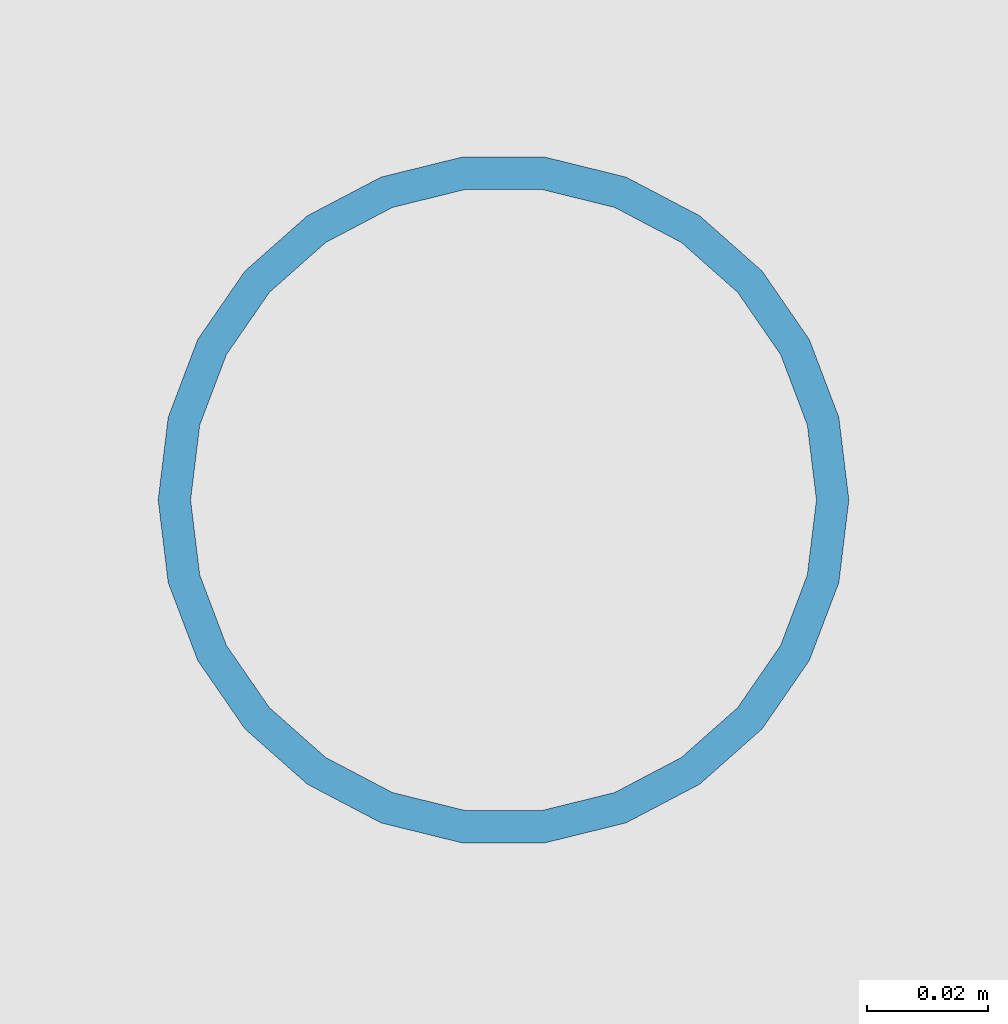
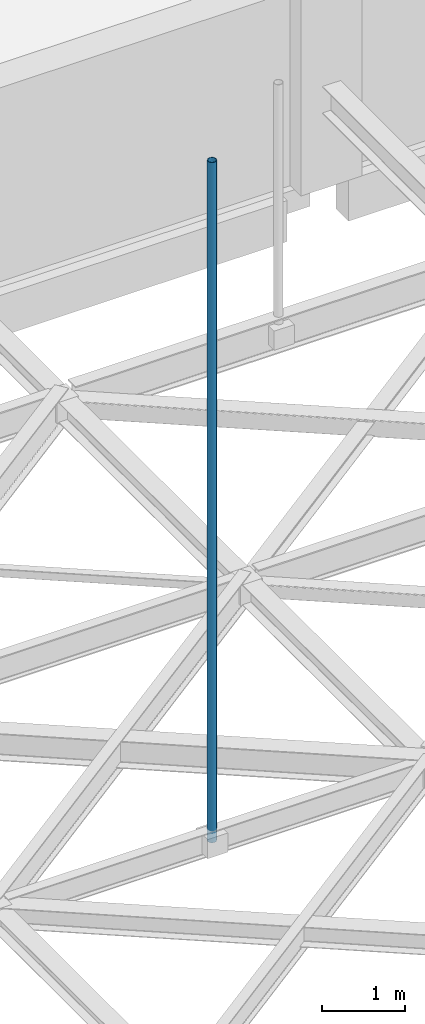
# One storey, part 27 of 93: 1 member.
"""IFC4 building model written with IfcOpenShell, lengths in metres."""

import ifcopenshell
import ifcopenshell.guid

model = None  # the IFC model being written
_history = None  # IfcOwnerHistory: only IFC2X3 demands one
_inside = {}  # id of a spatial element -> (the spatial element, [elements in it])
_under = {}  # id of a project, library or spatial element -> (it, [spatial elements below it])
_declared = {}  # id of a project -> (the project, [libraries it declares])
_typed = {}  # id of a type object -> (the type object, [elements of that type])
_made_of = {}  # id of a material, layer set ... -> (it, [elements and type objects made of it])


def new_model(schema):
    """Start an empty IFC model of exactly this schema.

    Asked for "IFC4X3", IfcOpenShell would pick the latest addendum, in which some entities
    have other attributes; the version numbers below select the first issue.
    IFC2X3 requires an IfcOwnerHistory on every rooted entity: one is made here for all.
    """
    global model, _history
    if schema == "IFC4X3":
        model = ifcopenshell.file(schema_version=(4, 3, 0, 0))
    else:
        model = ifcopenshell.file(schema=schema)
    _inside.clear()
    _under.clear()
    _declared.clear()
    _typed.clear()
    _made_of.clear()
    _history = None
    if model.schema == "IFC2X3":
        org = make("IfcOrganization", Name="unknown")
        user = make(
            "IfcPersonAndOrganization",
            ThePerson=make("IfcPerson", FamilyName="unknown"),
            TheOrganization=org,
        )
        app = make(
            "IfcApplication",
            ApplicationDeveloper=org,
            Version="unknown",
            ApplicationFullName="unknown",
            ApplicationIdentifier="unknown",
        )
        _history = make(
            "IfcOwnerHistory",
            OwningUser=user,
            OwningApplication=app,
            ChangeAction="ADDED",
            CreationDate=0,
        )
    return model


def make(cls, **values):
    """One entity of the class cls with the attributes given. An attribute that is None is left unset."""
    return model.create_entity(
        cls, **{name: value for name, value in values.items() if value is not None}
    )


def rooted(cls, **values):
    """An entity with a GlobalId (a new one), such as an element, a storey or a relation."""
    return make(cls, GlobalId=ifcopenshell.guid.new(), OwnerHistory=_history, **values)


def si_unit(unit_type, name, prefix=None):
    """IfcSIUnit, for example si_unit("LENGTHUNIT", "METRE", prefix="MILLI")."""
    return make("IfcSIUnit", UnitType=unit_type, Prefix=prefix, Name=name)


def assignment(units):
    """IfcUnitAssignment: the units of a project."""
    return None if units is None else make("IfcUnitAssignment", Units=units)


def point(xyz):
    """IfcCartesianPoint."""
    return None if xyz is None else make("IfcCartesianPoint", Coordinates=xyz)


def direction(xyz):
    """IfcDirection."""
    return None if xyz is None else make("IfcDirection", DirectionRatios=xyz)


def frame(location, z_axis=None, x_axis=None):
    """IfcAxis2Placement3D, a coordinate frame: its origin and axes. An axis left out is left unset."""
    return make(
        "IfcAxis2Placement3D",
        Location=point(location),
        Axis=direction(z_axis),
        RefDirection=direction(x_axis),
    )


def frame_2d(location, x_axis=None):
    """IfcAxis2Placement2D, a coordinate frame in the plane: its origin and x axis."""
    return make(
        "IfcAxis2Placement2D", Location=point(location), RefDirection=direction(x_axis)
    )


def origin():
    """The frame at (0, 0, 0) with its axes left unset."""
    return frame((0.0, 0.0, 0.0))


def origin_2d():
    """The frame at (0, 0) in the plane with its x axis left unset."""
    return frame_2d((0.0, 0.0))


def place(relative_to, where):
    """IfcLocalPlacement: puts the frame where relative to a parent placement (None: the world)."""
    return make(
        "IfcLocalPlacement", PlacementRelTo=relative_to, RelativePlacement=where
    )


def context(
    kind, dimensions, precision=None, world=None, true_north=None, identifier=None
):
    """IfcGeometricRepresentationContext, for example the 3D "Model" context."""
    return make(
        "IfcGeometricRepresentationContext",
        ContextIdentifier=identifier,
        ContextType=kind,
        CoordinateSpaceDimension=dimensions,
        Precision=precision,
        WorldCoordinateSystem=world,
        TrueNorth=true_north,
    )


def subcontext(parent, identifier, kind, view, scale=None):
    """IfcGeometricRepresentationSubContext, for example "Body" below "Model"."""
    return make(
        "IfcGeometricRepresentationSubContext",
        ContextIdentifier=identifier,
        ContextType=kind,
        ParentContext=parent,
        TargetScale=scale,
        TargetView=view,
    )


def project(units=None, contexts=None):
    """IfcProject with its units and contexts."""
    return rooted(
        "IfcProject",
        Name="project",
        RepresentationContexts=contexts,
        UnitsInContext=assignment(units),
    )


def spatial(cls, under=None, at=None, **own):
    """A site, building, storey or space (cls), placed at a placement, below another one or the project."""
    s = rooted(cls, ObjectPlacement=at, **own)
    if under is not None:
        _under.setdefault(under.id(), (under, []))[1].append(s)
    return s


def profile(cls, at=None, kind="AREA", **sizes):
    """A parametric profile (cls). Its sizes go by their IFC names, for example OverallWidth=200.0."""
    return make(cls, ProfileType=kind, Position=at, **sizes)


def hollow_circle(**sizes):
    """IfcCircleHollowProfileDef."""
    return profile("IfcCircleHollowProfileDef", **sizes)


def extrude(swept, where, along, depth):
    """IfcExtrudedAreaSolid: the profile swept, set in the frame where, extruded along a direction by depth."""
    return make(
        "IfcExtrudedAreaSolid",
        SweptArea=swept,
        Position=where,
        ExtrudedDirection=direction(along),
        Depth=depth,
    )


def shape(context_of_items, identifier, shape_type, items):
    """IfcShapeRepresentation: the items that make up one representation, for example the "Body"."""
    return make(
        "IfcShapeRepresentation",
        ContextOfItems=context_of_items,
        RepresentationIdentifier=identifier,
        RepresentationType=shape_type,
        Items=items,
    )


def material(Name=None, Category=None):
    """IfcMaterial."""
    return make("IfcMaterial", Name=Name, Category=Category)


def material_profile(
    of_material, cross_section, Name=None, Category=None, Priority=None
):
    """IfcMaterialProfile: a cross section and its material."""
    return make(
        "IfcMaterialProfile",
        Name=Name,
        Material=of_material,
        Profile=cross_section,
        Priority=Priority,
        Category=Category,
    )


def profile_set(profiles, Name=None, composite=None):
    """IfcMaterialProfileSet."""
    return make(
        "IfcMaterialProfileSet",
        Name=Name,
        MaterialProfiles=profiles,
        CompositeProfile=composite,
    )


def made_of(thing, what):
    """Note that an element or type object is made of a material, layer set ...; save() writes the relation."""
    if what is not None:
        _made_of.setdefault(what.id(), (what, []))[1].append(thing)
    return thing


def type_object(cls, material=None, **own):
    """A type object (cls), such as IfcWallType, which elements share."""
    return made_of(rooted(cls, **own), material)


def element(
    cls,
    number,
    at=None,
    inside=None,
    cuts=None,
    type_object=None,
    material=None,
    context=None,
    identifier="Body",
    shape_type=None,
    held_by="IfcProductDefinitionShape",
    body=None,
    shapes=None,
    **own,
):
    """One element of the class cls, such as IfcWall. Its Tag is "e" and its number.

    at: its placement. inside: the storey or other place that contains it. cuts: it is an
    opening in that element (IfcRelVoidsElement). A single representation is given by context,
    identifier, shape_type and body (its items); several are given by shapes. held_by: the class
    of the entity that holds the representations. save() writes the other relations.
    """
    e = rooted(cls, Tag="e%d" % number, ObjectPlacement=at, **own)
    if body is not None:
        shapes = [shape(context, identifier, shape_type, body)]
    if shapes is not None:
        e.Representation = make(held_by, Representations=shapes)
    if inside is not None:
        _inside.setdefault(inside.id(), (inside, []))[1].append(e)
    if cuts is not None:
        rooted(
            "IfcRelVoidsElement", RelatingBuildingElement=cuts, RelatedOpeningElement=e
        )
    if type_object is not None:
        _typed.setdefault(type_object.id(), (type_object, []))[1].append(e)
    return made_of(e, material)


def aggregate(whole, parts):
    """IfcRelAggregates: a whole, such as a stair, and the parts it consists of."""
    return rooted("IfcRelAggregates", RelatingObject=whole, RelatedObjects=parts)


def save(model, path):
    """Write the relations noted so far, then the file.

    IfcRelAggregates (storeys below a building ...), IfcRelContainedInSpatialStructure (elements
    in a storey), IfcRelDefinesByType, IfcRelAssociatesMaterial and IfcRelDeclares: one each for
    every whole, place, type object, material and project.
    """
    for whole, parts in _under.values():
        aggregate(whole, parts)
    for where, things in _inside.values():
        rooted(
            "IfcRelContainedInSpatialStructure",
            RelatedElements=things,
            RelatingStructure=where,
        )
    for kind, things in _typed.values():
        rooted("IfcRelDefinesByType", RelatedObjects=things, RelatingType=kind)
    for what, things in _made_of.values():
        rooted("IfcRelAssociatesMaterial", RelatedObjects=things, RelatingMaterial=what)
    for by, libraries in _declared.values():
        rooted("IfcRelDeclares", RelatingContext=by, RelatedDefinitions=libraries)
    model.write(path)


model = new_model("IFC4")

# Units and contexts
model_context = context("Model", 3, precision=1e-05, world=origin(), true_north=direction((0.0, 1.0)))
body_context = subcontext(model_context, "Body", "Model", "MODEL_VIEW")
ifc_project = project(units=[si_unit("LENGTHUNIT", "METRE"), si_unit("AREAUNIT", "SQUARE_METRE"), si_unit("VOLUMEUNIT", "CUBIC_METRE"), si_unit("PLANEANGLEUNIT", "RADIAN"), si_unit("MASSUNIT", "GRAM", prefix="KILO")], contexts=[model_context])

# Site, building, storey
site_placement = place(None, origin())
site = spatial("IfcSite", under=ifc_project, at=site_placement, CompositionType="ELEMENT")
building_placement = place(site_placement, origin())
building = spatial("IfcBuilding", under=site, at=building_placement, Name="Varnakota Cinema and Media Centre", CompositionType="ELEMENT")
storey_placement = place(building_placement, frame((0.0, 0.0, 12.0)))
storey = spatial("IfcBuildingStorey", under=building, at=storey_placement, Name="L03", CompositionType="ELEMENT", Elevation=12.0)

# Member
ifc_material = material(Name="Structural steel S355 (YSt 355)", Category="steel")
ifc_material_profile = material_profile(ifc_material, hollow_circle(Radius=0.05712890625, WallThickness=0.00537109375, at=origin_2d()), Name="CHS 114.3x5.4")
ifc_profile_set = profile_set([ifc_material_profile], Name="Structural steel S355 (YSt 355)")
member_type = type_object("IfcMemberType", Name="MEM-ST-CHS114_3x5_4", PredefinedType="BRACE", material=ifc_profile_set)
member_placement = place(storey_placement, frame((84.0, 22.0, 1.300048828125), z_axis=(0.0, 0.0, 1.0), x_axis=(1.0, 0.0, 0.0)))
element("IfcMember", 1, at=member_placement, inside=storey, type_object=member_type, Name="V1 rigging hanger 2.3", PredefinedType="BRACE", context=body_context, shape_type="SweptSolid", body=[
    extrude(hollow_circle(Radius=0.05712890625, WallThickness=0.00537109375, at=origin_2d()), origin(), (0.0, 0.0, 1.0), 9.949951171875),
])

save(model, "model.ifc")
